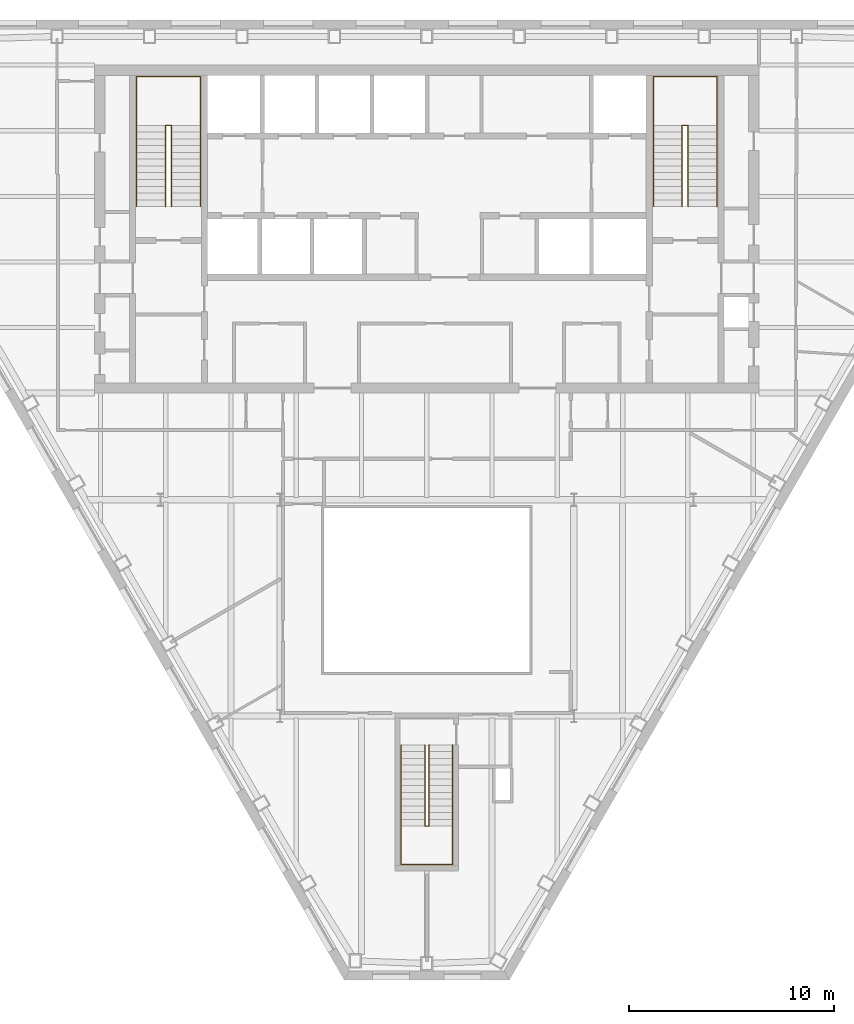
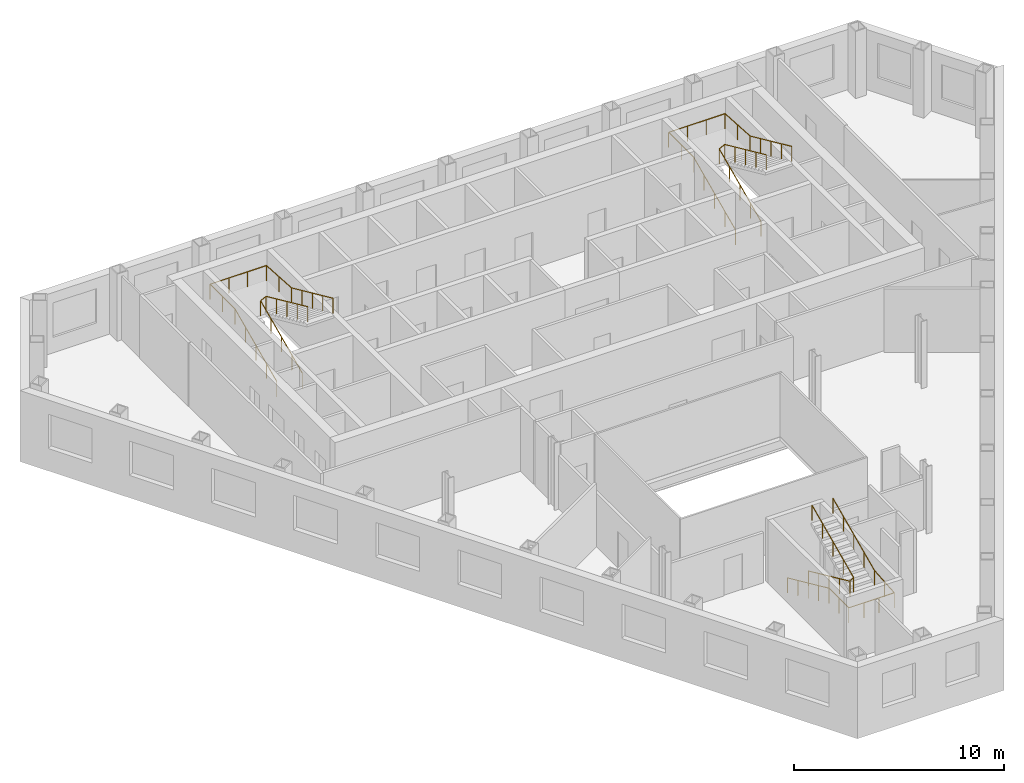
# One storey, part 11 of 11: 6 railings.
"""IFC4 building model written with IfcOpenShell, lengths in metres."""

from ifc_helpers import new_model, si_unit, direction, frame, origin, origin_2d, place, context, subcontext, project, spatial, circle, extrude, material, type_object, element, save


model = new_model("IFC4")

# Units and contexts
model_context = context("Model", 3, precision=1e-05, world=origin(), true_north=direction((0.0, 1.0)))
body_context = subcontext(model_context, "Body", "Model", "MODEL_VIEW")
ifc_project = project(units=[si_unit("LENGTHUNIT", "METRE"), si_unit("AREAUNIT", "SQUARE_METRE"), si_unit("VOLUMEUNIT", "CUBIC_METRE"), si_unit("PLANEANGLEUNIT", "RADIAN"), si_unit("MASSUNIT", "GRAM", prefix="KILO")], contexts=[model_context])

# Site, building, storey
site_placement = place(None, origin())
site = spatial("IfcSite", under=ifc_project, at=site_placement, CompositionType="ELEMENT")
building_placement = place(site_placement, origin())
building = spatial("IfcBuilding", under=site, at=building_placement, Name="Njiva Tower", CompositionType="ELEMENT")
storey_placement = place(building_placement, frame((0.0, 0.0, 182.7)))
storey = spatial("IfcBuildingStorey", under=building, at=storey_placement, Name="L40", CompositionType="ELEMENT", Elevation=182.7)

# Railings
ifc_material = material(Name="Stainless steel", Category="steel")
railing_type = type_object("IfcRailingType", Name="RL1 Stair handrail 900", PredefinedType="HANDRAIL", material=ifc_material)
railing_1_placement = place(storey_placement, frame((-14.15, 11.1, 0.15)))
element("IfcRailing", 1, at=railing_1_placement, inside=storey, type_object=railing_type, Name="Stair A handrail", PredefinedType="HANDRAIL", context=body_context, shape_type="SweptSolid", body=[
    extrude(circle(Radius=0.024, at=origin_2d()), frame((0.0, 0.0, 0.876), z_axis=(0.0, 0.910366477463, 0.413802944301), x_axis=(-1.0, 0.0, 0.0)), (0.0, 0.0, 1.0), 4.3499),
    extrude(circle(Radius=0.024, at=origin_2d()), frame((0.0, 3.96, 2.676), z_axis=(0.0, 1.0, 0.0), x_axis=(-1.0, 0.0, 0.0)), (0.0, 0.0, 1.0), 2.39),
    extrude(circle(Radius=0.024, at=origin_2d()), frame((0.0, 6.35, 2.676), z_axis=(1.0, 0.0, 0.0), x_axis=(0.0, 1.0, 0.0)), (0.0, 0.0, 1.0), 3.1),
    extrude(circle(Radius=0.024, at=origin_2d()), frame((3.1, 6.35, 2.676), z_axis=(0.0, -0.998036296047, 0.062638261258), x_axis=(1.0, 0.0, 0.0)), (0.0, 0.0, 1.0), 2.3947),
    extrude(circle(Radius=0.024, at=origin_2d()), frame((3.1, 3.96, 2.826), z_axis=(0.0, -0.910366477463, 0.413802944301), x_axis=(1.0, 0.0, 0.0)), (0.0, 0.0, 1.0), 4.3499),
    extrude(circle(Radius=0.021, at=origin_2d()), origin(), (0.0, 0.0, 1.0), 0.852),
    extrude(circle(Radius=0.021, at=origin_2d()), frame((0.0, 0.99, 0.45)), (0.0, 0.0, 1.0), 0.852),
    extrude(circle(Radius=0.021, at=origin_2d()), frame((0.0, 1.98, 0.9)), (0.0, 0.0, 1.0), 0.852),
    extrude(circle(Radius=0.021, at=origin_2d()), frame((0.0, 2.97, 1.35)), (0.0, 0.0, 1.0), 0.852),
    extrude(circle(Radius=0.021, at=origin_2d()), frame((0.0, 3.96, 1.8)), (0.0, 0.0, 1.0), 0.852),
    extrude(circle(Radius=0.021, at=origin_2d()), frame((0.0, 5.155, 1.8)), (0.0, 0.0, 1.0), 0.852),
    extrude(circle(Radius=0.021, at=origin_2d()), frame((0.0, 6.35, 1.8)), (0.0, 0.0, 1.0), 0.852),
    extrude(circle(Radius=0.021, at=origin_2d()), frame((1.0333, 6.35, 1.8)), (0.0, 0.0, 1.0), 0.852),
    extrude(circle(Radius=0.021, at=origin_2d()), frame((2.0667, 6.35, 1.8)), (0.0, 0.0, 1.0), 0.852),
    extrude(circle(Radius=0.021, at=origin_2d()), frame((3.1, 6.35, 1.8)), (0.0, 0.0, 1.0), 0.852),
    extrude(circle(Radius=0.021, at=origin_2d()), frame((3.1, 5.155, 1.875)), (0.0, 0.0, 1.0), 0.852),
    extrude(circle(Radius=0.021, at=origin_2d()), frame((3.1, 3.96, 1.95)), (0.0, 0.0, 1.0), 0.852),
    extrude(circle(Radius=0.021, at=origin_2d()), frame((3.1, 2.97, 2.4)), (0.0, 0.0, 1.0), 0.852),
    extrude(circle(Radius=0.021, at=origin_2d()), frame((3.1, 1.98, 2.85)), (0.0, 0.0, 1.0), 0.852),
    extrude(circle(Radius=0.021, at=origin_2d()), frame((3.1, 0.99, 3.3)), (0.0, 0.0, 1.0), 0.852),
    extrude(circle(Radius=0.021, at=origin_2d()), frame((3.1, 0.0, 3.75)), (0.0, 0.0, 1.0), 0.852),
])
railing_2_placement = place(storey_placement, frame((-12.75, 11.1, 0.15)))
element("IfcRailing", 2, at=railing_2_placement, inside=storey, type_object=railing_type, Name="Stair A handrail", PredefinedType="HANDRAIL", context=body_context, shape_type="SweptSolid", body=[
    extrude(circle(Radius=0.024, at=origin_2d()), frame((0.0, 0.0, 0.876), z_axis=(0.0, 0.910366477463, 0.413802944301), x_axis=(-1.0, 0.0, 0.0)), (0.0, 0.0, 1.0), 4.3499),
    extrude(circle(Radius=0.024, at=origin_2d()), frame((0.0, 3.96, 2.676), z_axis=(0.894427191, 0.0, 0.4472135955), x_axis=(0.0, 1.0, 0.0)), (0.0, 0.0, 1.0), 0.3354),
    extrude(circle(Radius=0.024, at=origin_2d()), frame((0.3, 3.96, 2.826), z_axis=(0.0, -0.910366477463, 0.413802944301), x_axis=(1.0, 0.0, 0.0)), (0.0, 0.0, 1.0), 4.3499),
    extrude(circle(Radius=0.021, at=origin_2d()), origin(), (0.0, 0.0, 1.0), 0.852),
    extrude(circle(Radius=0.021, at=origin_2d()), frame((0.0, 0.99, 0.45)), (0.0, 0.0, 1.0), 0.852),
    extrude(circle(Radius=0.021, at=origin_2d()), frame((0.0, 1.98, 0.9)), (0.0, 0.0, 1.0), 0.852),
    extrude(circle(Radius=0.021, at=origin_2d()), frame((0.0, 2.97, 1.35)), (0.0, 0.0, 1.0), 0.852),
    extrude(circle(Radius=0.021, at=origin_2d()), frame((0.0, 3.96, 1.8)), (0.0, 0.0, 1.0), 0.852),
    extrude(circle(Radius=0.021, at=origin_2d()), frame((0.3, 3.96, 1.95)), (0.0, 0.0, 1.0), 0.852),
    extrude(circle(Radius=0.021, at=origin_2d()), frame((0.3, 2.97, 2.4)), (0.0, 0.0, 1.0), 0.852),
    extrude(circle(Radius=0.021, at=origin_2d()), frame((0.3, 1.98, 2.85)), (0.0, 0.0, 1.0), 0.852),
    extrude(circle(Radius=0.021, at=origin_2d()), frame((0.3, 0.99, 3.3)), (0.0, 0.0, 1.0), 0.852),
    extrude(circle(Radius=0.021, at=origin_2d()), frame((0.3, 0.0, 3.75)), (0.0, 0.0, 1.0), 0.852),
])
railing_3_placement = place(storey_placement, frame((11.05, 11.1, 0.15)))
element("IfcRailing", 3, at=railing_3_placement, inside=storey, type_object=railing_type, Name="Stair B handrail", PredefinedType="HANDRAIL", context=body_context, shape_type="SweptSolid", body=[
    extrude(circle(Radius=0.024, at=origin_2d()), frame((0.0, 0.0, 0.876), z_axis=(0.0, 0.910366477463, 0.413802944301), x_axis=(-1.0, 0.0, 0.0)), (0.0, 0.0, 1.0), 4.3499),
    extrude(circle(Radius=0.024, at=origin_2d()), frame((0.0, 3.96, 2.676), z_axis=(0.0, 1.0, 0.0), x_axis=(-1.0, 0.0, 0.0)), (0.0, 0.0, 1.0), 2.39),
    extrude(circle(Radius=0.024, at=origin_2d()), frame((0.0, 6.35, 2.676), z_axis=(1.0, 0.0, 0.0), x_axis=(0.0, 1.0, 0.0)), (0.0, 0.0, 1.0), 3.1),
    extrude(circle(Radius=0.024, at=origin_2d()), frame((3.1, 6.35, 2.676), z_axis=(0.0, -0.998036296047, 0.062638261258), x_axis=(1.0, 0.0, 0.0)), (0.0, 0.0, 1.0), 2.3947),
    extrude(circle(Radius=0.024, at=origin_2d()), frame((3.1, 3.96, 2.826), z_axis=(0.0, -0.910366477463, 0.413802944301), x_axis=(1.0, 0.0, 0.0)), (0.0, 0.0, 1.0), 4.3499),
    extrude(circle(Radius=0.021, at=origin_2d()), origin(), (0.0, 0.0, 1.0), 0.852),
    extrude(circle(Radius=0.021, at=origin_2d()), frame((0.0, 0.99, 0.45)), (0.0, 0.0, 1.0), 0.852),
    extrude(circle(Radius=0.021, at=origin_2d()), frame((0.0, 1.98, 0.9)), (0.0, 0.0, 1.0), 0.852),
    extrude(circle(Radius=0.021, at=origin_2d()), frame((0.0, 2.97, 1.35)), (0.0, 0.0, 1.0), 0.852),
    extrude(circle(Radius=0.021, at=origin_2d()), frame((0.0, 3.96, 1.8)), (0.0, 0.0, 1.0), 0.852),
    extrude(circle(Radius=0.021, at=origin_2d()), frame((0.0, 5.155, 1.8)), (0.0, 0.0, 1.0), 0.852),
    extrude(circle(Radius=0.021, at=origin_2d()), frame((0.0, 6.35, 1.8)), (0.0, 0.0, 1.0), 0.852),
    extrude(circle(Radius=0.021, at=origin_2d()), frame((1.0333, 6.35, 1.8)), (0.0, 0.0, 1.0), 0.852),
    extrude(circle(Radius=0.021, at=origin_2d()), frame((2.0667, 6.35, 1.8)), (0.0, 0.0, 1.0), 0.852),
    extrude(circle(Radius=0.021, at=origin_2d()), frame((3.1, 6.35, 1.8)), (0.0, 0.0, 1.0), 0.852),
    extrude(circle(Radius=0.021, at=origin_2d()), frame((3.1, 5.155, 1.875)), (0.0, 0.0, 1.0), 0.852),
    extrude(circle(Radius=0.021, at=origin_2d()), frame((3.1, 3.96, 1.95)), (0.0, 0.0, 1.0), 0.852),
    extrude(circle(Radius=0.021, at=origin_2d()), frame((3.1, 2.97, 2.4)), (0.0, 0.0, 1.0), 0.852),
    extrude(circle(Radius=0.021, at=origin_2d()), frame((3.1, 1.98, 2.85)), (0.0, 0.0, 1.0), 0.852),
    extrude(circle(Radius=0.021, at=origin_2d()), frame((3.1, 0.99, 3.3)), (0.0, 0.0, 1.0), 0.852),
    extrude(circle(Radius=0.021, at=origin_2d()), frame((3.1, 0.0, 3.75)), (0.0, 0.0, 1.0), 0.852),
])
railing_4_placement = place(storey_placement, frame((12.45, 11.1, 0.15)))
element("IfcRailing", 4, at=railing_4_placement, inside=storey, type_object=railing_type, Name="Stair B handrail", PredefinedType="HANDRAIL", context=body_context, shape_type="SweptSolid", body=[
    extrude(circle(Radius=0.024, at=origin_2d()), frame((0.0, 0.0, 0.876), z_axis=(0.0, 0.910366477463, 0.413802944301), x_axis=(-1.0, 0.0, 0.0)), (0.0, 0.0, 1.0), 4.3499),
    extrude(circle(Radius=0.024, at=origin_2d()), frame((0.0, 3.96, 2.676), z_axis=(0.894427191, 0.0, 0.4472135955), x_axis=(0.0, 1.0, 0.0)), (0.0, 0.0, 1.0), 0.3354),
    extrude(circle(Radius=0.024, at=origin_2d()), frame((0.3, 3.96, 2.826), z_axis=(0.0, -0.910366477463, 0.413802944301), x_axis=(1.0, 0.0, 0.0)), (0.0, 0.0, 1.0), 4.3499),
    extrude(circle(Radius=0.021, at=origin_2d()), origin(), (0.0, 0.0, 1.0), 0.852),
    extrude(circle(Radius=0.021, at=origin_2d()), frame((0.0, 0.99, 0.45)), (0.0, 0.0, 1.0), 0.852),
    extrude(circle(Radius=0.021, at=origin_2d()), frame((0.0, 1.98, 0.9)), (0.0, 0.0, 1.0), 0.852),
    extrude(circle(Radius=0.021, at=origin_2d()), frame((0.0, 2.97, 1.35)), (0.0, 0.0, 1.0), 0.852),
    extrude(circle(Radius=0.021, at=origin_2d()), frame((0.0, 3.96, 1.8)), (0.0, 0.0, 1.0), 0.852),
    extrude(circle(Radius=0.021, at=origin_2d()), frame((0.3, 3.96, 1.95)), (0.0, 0.0, 1.0), 0.852),
    extrude(circle(Radius=0.021, at=origin_2d()), frame((0.3, 2.97, 2.4)), (0.0, 0.0, 1.0), 0.852),
    extrude(circle(Radius=0.021, at=origin_2d()), frame((0.3, 1.98, 2.85)), (0.0, 0.0, 1.0), 0.852),
    extrude(circle(Radius=0.021, at=origin_2d()), frame((0.3, 0.99, 3.3)), (0.0, 0.0, 1.0), 0.852),
    extrude(circle(Radius=0.021, at=origin_2d()), frame((0.3, 0.0, 3.75)), (0.0, 0.0, 1.0), 0.852),
])
railing_5_placement = place(storey_placement, frame((-1.25, -15.16, 0.15)))
element("IfcRailing", 5, at=railing_5_placement, inside=storey, type_object=railing_type, Name="Stair C handrail", PredefinedType="HANDRAIL", context=body_context, shape_type="SweptSolid", body=[
    extrude(circle(Radius=0.024, at=origin_2d()), frame((0.0, 0.0, 0.876), z_axis=(0.0, -0.910366477463, 0.413802944301), x_axis=(1.0, 0.0, 0.0)), (0.0, 0.0, 1.0), 4.3499),
    extrude(circle(Radius=0.024, at=origin_2d()), frame((0.0, -3.96, 2.676), z_axis=(0.0, -1.0, 0.0), x_axis=(1.0, 0.0, 0.0)), (0.0, 0.0, 1.0), 1.88),
    extrude(circle(Radius=0.024, at=origin_2d()), frame((0.0, -5.84, 2.676), z_axis=(1.0, 0.0, 0.0), x_axis=(0.0, 1.0, 0.0)), (0.0, 0.0, 1.0), 2.5),
    extrude(circle(Radius=0.024, at=origin_2d()), frame((2.5, -5.84, 2.676), z_axis=(0.0, 0.996832115713, 0.079534477318), x_axis=(-1.0, 0.0, 0.0)), (0.0, 0.0, 1.0), 1.886),
    extrude(circle(Radius=0.024, at=origin_2d()), frame((2.5, -3.96, 2.826), z_axis=(0.0, 0.910366477463, 0.413802944301), x_axis=(-1.0, 0.0, 0.0)), (0.0, 0.0, 1.0), 4.3499),
    extrude(circle(Radius=0.021, at=origin_2d()), origin(), (0.0, 0.0, 1.0), 0.852),
    extrude(circle(Radius=0.021, at=origin_2d()), frame((0.0, -0.99, 0.45)), (0.0, 0.0, 1.0), 0.852),
    extrude(circle(Radius=0.021, at=origin_2d()), frame((0.0, -1.98, 0.9)), (0.0, 0.0, 1.0), 0.852),
    extrude(circle(Radius=0.021, at=origin_2d()), frame((0.0, -2.97, 1.35)), (0.0, 0.0, 1.0), 0.852),
    extrude(circle(Radius=0.021, at=origin_2d()), frame((0.0, -3.96, 1.8)), (0.0, 0.0, 1.0), 0.852),
    extrude(circle(Radius=0.021, at=origin_2d()), frame((0.0, -4.9, 1.8)), (0.0, 0.0, 1.0), 0.852),
    extrude(circle(Radius=0.021, at=origin_2d()), frame((0.0, -5.84, 1.8)), (0.0, 0.0, 1.0), 0.852),
    extrude(circle(Radius=0.021, at=origin_2d()), frame((0.8333, -5.84, 1.8)), (0.0, 0.0, 1.0), 0.852),
    extrude(circle(Radius=0.021, at=origin_2d()), frame((1.6667, -5.84, 1.8)), (0.0, 0.0, 1.0), 0.852),
    extrude(circle(Radius=0.021, at=origin_2d()), frame((2.5, -5.84, 1.8)), (0.0, 0.0, 1.0), 0.852),
    extrude(circle(Radius=0.021, at=origin_2d()), frame((2.5, -4.9, 1.875)), (0.0, 0.0, 1.0), 0.852),
    extrude(circle(Radius=0.021, at=origin_2d()), frame((2.5, -3.96, 1.95)), (0.0, 0.0, 1.0), 0.852),
    extrude(circle(Radius=0.021, at=origin_2d()), frame((2.5, -2.97, 2.4)), (0.0, 0.0, 1.0), 0.852),
    extrude(circle(Radius=0.021, at=origin_2d()), frame((2.5, -1.98, 2.85)), (0.0, 0.0, 1.0), 0.852),
    extrude(circle(Radius=0.021, at=origin_2d()), frame((2.5, -0.99, 3.3)), (0.0, 0.0, 1.0), 0.852),
    extrude(circle(Radius=0.021, at=origin_2d()), frame((2.5, 0.0, 3.75)), (0.0, 0.0, 1.0), 0.852),
])
railing_6_placement = place(storey_placement, frame((-0.1, -15.16, 0.15)))
element("IfcRailing", 6, at=railing_6_placement, inside=storey, type_object=railing_type, Name="Stair C handrail", PredefinedType="HANDRAIL", context=body_context, shape_type="SweptSolid", body=[
    extrude(circle(Radius=0.024, at=origin_2d()), frame((0.0, 0.0, 0.876), z_axis=(0.0, -0.910366477463, 0.413802944301), x_axis=(1.0, 0.0, 0.0)), (0.0, 0.0, 1.0), 4.3499),
    extrude(circle(Radius=0.024, at=origin_2d()), frame((0.0, -3.96, 2.676), z_axis=(0.8, 0.0, 0.6), x_axis=(0.0, 1.0, 0.0)), (0.0, 0.0, 1.0), 0.25),
    extrude(circle(Radius=0.024, at=origin_2d()), frame((0.2, -3.96, 2.826), z_axis=(0.0, 0.910366477463, 0.413802944301), x_axis=(-1.0, 0.0, 0.0)), (0.0, 0.0, 1.0), 4.3499),
    extrude(circle(Radius=0.021, at=origin_2d()), origin(), (0.0, 0.0, 1.0), 0.852),
    extrude(circle(Radius=0.021, at=origin_2d()), frame((0.0, -0.99, 0.45)), (0.0, 0.0, 1.0), 0.852),
    extrude(circle(Radius=0.021, at=origin_2d()), frame((0.0, -1.98, 0.9)), (0.0, 0.0, 1.0), 0.852),
    extrude(circle(Radius=0.021, at=origin_2d()), frame((0.0, -2.97, 1.35)), (0.0, 0.0, 1.0), 0.852),
    extrude(circle(Radius=0.021, at=origin_2d()), frame((0.0, -3.96, 1.8)), (0.0, 0.0, 1.0), 0.852),
    extrude(circle(Radius=0.021, at=origin_2d()), frame((0.2, -3.96, 1.95)), (0.0, 0.0, 1.0), 0.852),
    extrude(circle(Radius=0.021, at=origin_2d()), frame((0.2, -2.97, 2.4)), (0.0, 0.0, 1.0), 0.852),
    extrude(circle(Radius=0.021, at=origin_2d()), frame((0.2, -1.98, 2.85)), (0.0, 0.0, 1.0), 0.852),
    extrude(circle(Radius=0.021, at=origin_2d()), frame((0.2, -0.99, 3.3)), (0.0, 0.0, 1.0), 0.852),
    extrude(circle(Radius=0.021, at=origin_2d()), frame((0.2, 0.0, 3.75)), (0.0, 0.0, 1.0), 0.852),
])

save(model, "model.ifc")
